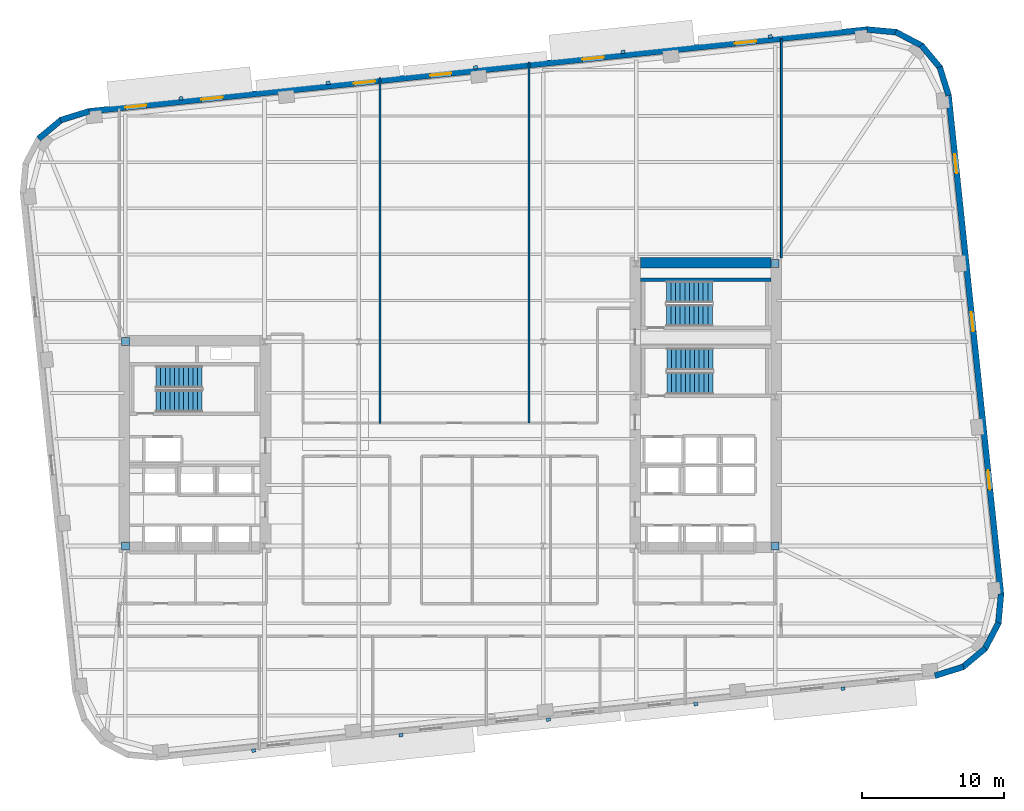
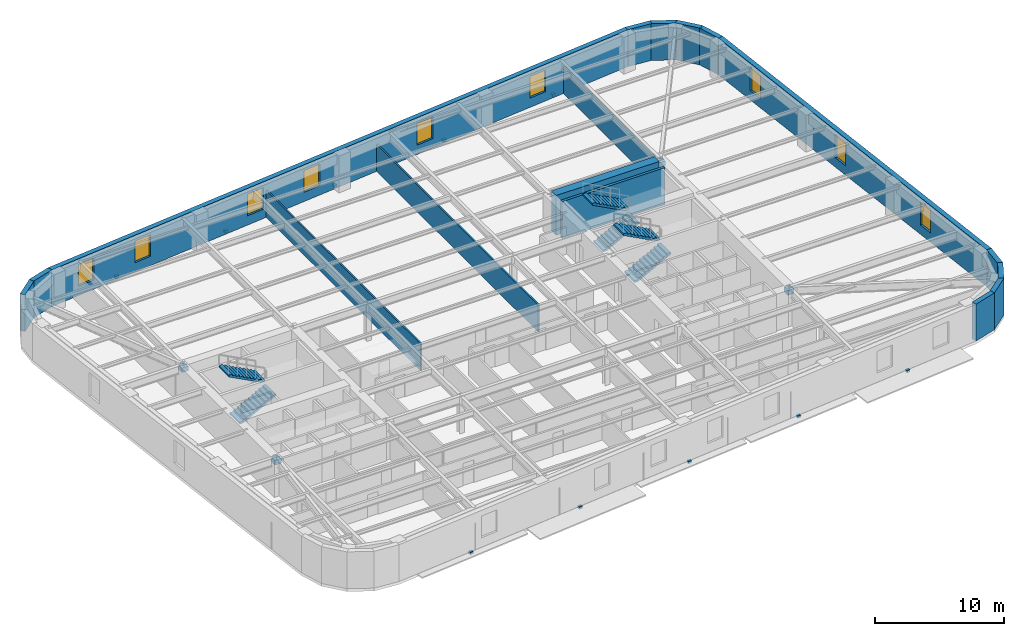
# One storey, part 7 of 11: 17 walls, 14 discrete accessories, 9 windows, 6 stair flights, 9 openings, 3 elements without a shape of their own.
"""IFC4 building model written with IfcOpenShell, lengths in metres."""

from ifc_helpers import new_model, si_unit, direction, frame, frame_2d, origin, origin_2d, place, context, subcontext, project, spatial, polyline, rectangle, outline, extrude, material, layer, layer_set, type_object, element, fill, aggregate, save


model = new_model("IFC4")

# Units and contexts
model_context = context("Model", 3, precision=1e-05, world=origin(), true_north=direction((0.0, 1.0)))
body_context = subcontext(model_context, "Body", "Model", "MODEL_VIEW")
ifc_project = project(units=[si_unit("LENGTHUNIT", "METRE"), si_unit("AREAUNIT", "SQUARE_METRE"), si_unit("VOLUMEUNIT", "CUBIC_METRE"), si_unit("PLANEANGLEUNIT", "RADIAN"), si_unit("MASSUNIT", "GRAM", prefix="KILO")], contexts=[model_context])

# Site, building, storey
site_placement = place(None, origin())
site = spatial("IfcSite", under=ifc_project, at=site_placement, CompositionType="ELEMENT")
building_placement = place(site_placement, origin())
building = spatial("IfcBuilding", under=site, at=building_placement, Name="Kolvaren Arena Tower", CompositionType="ELEMENT")
storey_placement = place(building_placement, frame((0.0, 0.0, 103.449951171875)))
storey = spatial("IfcBuildingStorey", under=building, at=storey_placement, Name="L23", CompositionType="ELEMENT", Elevation=103.449951171875)

# Walls
ifc_material_1 = material(Name="Concrete 70 MPa", Category="concrete")
ifc_layer_1 = layer(ifc_material_1, 0.75)
ifc_layer_set_1 = layer_set([ifc_layer_1], Name="Concrete 70 MPa")
wall_type_1 = type_object("IfcWallType", Name="CWALL-750", PredefinedType="SHEAR", material=ifc_layer_set_1)
wall_1_placement = place(storey_placement, frame((50.85009765625, 39.425048828125, -0.27001953125), z_axis=(0.0, 0.0, 1.0), x_axis=(1.0, 0.0, 0.0)))
element("IfcWall", 1, at=wall_1_placement, inside=storey, type_object=wall_type_1, Name="Core Shear Wall EC-NORTH (L23)", PredefinedType="SHEAR", context=body_context, shape_type="SweptSolid", body=[
    extrude(rectangle(XDim=9.199951171875, YDim=0.75, at=frame_2d((4.60009765625, 0.0))), origin(), (0.0, 0.0, 1.0), 3.75),
])
ifc_material_2 = material(Name="Precast concrete C50/60", Category="concrete")
ifc_layer_2 = layer(ifc_material_2, 0.419921875)
ifc_layer_set_2 = layer_set([ifc_layer_2], Name="Precast concrete C50/60")
wall_type_2 = type_object("IfcWallType", Name="EXT-PIER1", PredefinedType="SOLIDWALL", material=ifc_layer_set_2)
for number, where, z_axis, x_axis, name in (
    (2, (73.61328125, 10.93701171875, 0.0), (0.0, 0.0, 1.0), (-0.954993985335, -0.296625164093, 0.0), "Exterior Precast Masonry-Frame Wall (L23)"),
    (3, (75.1611328125, 12.2451171875, 0.0), (0.0, 0.0, 1.0), (-0.768800317178, -0.639488914921, 0.0), "Exterior Precast Masonry-Frame Wall (L23)"),
):
    element("IfcWall", number, at=place(storey_placement, frame(where, z_axis=z_axis, x_axis=x_axis)), inside=storey, type_object=wall_type_2, Name=name, PredefinedType="SOLIDWALL", context=body_context, shape_type="SweptSolid", body=[
        extrude(rectangle(XDim=2.10693359375, YDim=0.419921875, at=frame_2d((1.053466796875, 0.0))), origin(), (0.0, 0.0, 1.0), 3.47998046875),
    ])
wall_2_placement = place(storey_placement, frame((76.0908203125, 14.046142578125, 0.0), z_axis=(0.0, 0.0, 1.0), x_axis=(-0.465655699908, -0.884965970613, 0.0)))
element("IfcWall", 4, at=wall_2_placement, inside=storey, type_object=wall_type_2, Name="Exterior Precast Masonry-Frame Wall (L23)", PredefinedType="SOLIDWALL", context=body_context, shape_type="SweptSolid", body=[
    extrude(rectangle(XDim=2.107177734375, YDim=0.419921875, at=frame_2d((1.0537109375, 0.0))), origin(), (0.0, 0.0, 1.0), 3.47998046875),
])
wall_3_placement = place(storey_placement, frame((76.26025390625, 16.065673828125, 0.0), z_axis=(0.0, 0.0, 1.0), x_axis=(-0.091538655308, -0.995801523691, 0.0)))
element("IfcWall", 5, at=wall_3_placement, inside=storey, type_object=wall_type_2, Name="Exterior Precast Masonry-Frame Wall (L23)", PredefinedType="SOLIDWALL", context=body_context, shape_type="SweptSolid", body=[
    extrude(rectangle(XDim=2.10693359375, YDim=0.419921875, at=frame_2d((1.053466796875, 0.0))), origin(), (0.0, 0.0, 1.0), 3.47998046875),
])

# Wall, openings, windows
wall_4_placement = place(storey_placement, frame((72.560302734375, 51.23046875, 0.0), z_axis=(0.0, 0.0, 1.0), x_axis=(0.1045253859, -0.994522218808, 0.0)))
wall_4 = element("IfcWall", 6, at=wall_4_placement, inside=storey, type_object=wall_type_2, Name="Exterior Precast Masonry-Frame Wall (L23)", PredefinedType="SOLIDWALL", context=body_context, shape_type="SweptSolid", body=[
    extrude(rectangle(XDim=35.39990234375, YDim=0.419921875, at=frame_2d((17.699951171875, 0.0))), origin(), (0.0, 0.0, 1.0), 3.47998046875),
])
opening_1_placement = place(wall_4_placement, frame((4.199951171875, 0.0, 0.8798828125)))
opening_1 = element("IfcOpeningElement", 7, at=opening_1_placement, cuts=wall_4, Name="Opening W04", PredefinedType="OPENING", context=body_context, shape_type="SweptSolid", body=[
    extrude(rectangle(XDim=1.35009765625, YDim=2.199951171875, at=frame_2d((0.675048828125, 1.10009765625))), frame((0.0, 0.219970703125, 0.0), z_axis=(0.0, -1.0, 0.0), x_axis=(1.0, 0.0, 0.0)), (0.0, 0.0, 1.0), 0.43994140625),
])
opening_2_placement = place(wall_4_placement, frame((15.39990234375, 0.0, 0.8798828125)))
opening_2 = element("IfcOpeningElement", 8, at=opening_2_placement, cuts=wall_4, Name="Opening W04", PredefinedType="OPENING", context=body_context, shape_type="SweptSolid", body=[
    extrude(rectangle(XDim=1.35009765625, YDim=2.199951171875, at=frame_2d((0.675048828125, 1.10009765625))), frame((0.0, 0.219970703125, 0.0), z_axis=(0.0, -1.0, 0.0), x_axis=(1.0, 0.0, 0.0)), (0.0, 0.0, 1.0), 0.43994140625),
])
opening_3_placement = place(wall_4_placement, frame((26.60009765625, 0.0, 0.8798828125)))
opening_3 = element("IfcOpeningElement", 9, at=opening_3_placement, cuts=wall_4, Name="Opening W04", PredefinedType="OPENING", context=body_context, shape_type="SweptSolid", body=[
    extrude(rectangle(XDim=1.35009765625, YDim=2.199951171875, at=frame_2d((0.675048828125, 1.10009765625))), frame((0.0, 0.219970703125, 0.0), z_axis=(0.0, -1.0, 0.0), x_axis=(1.0, 0.0, 0.0)), (0.0, 0.0, 1.0), 0.43994140625),
])
ifc_material_3 = material(Name="Triple-glazed curved-facet corner window", Category="glass")
window_type_1 = type_object("IfcWindowType", Name="WIN-CRN-A", PartitioningType="SINGLE_PANEL", PredefinedType="WINDOW", material=ifc_material_3)
window_1_placement = place(opening_1_placement, origin())
window_1 = element("IfcWindow", 10, at=window_1_placement, inside=storey, type_object=window_type_1, Name="End-Wall Punched Window (L23)", OverallHeight=2.199951171875, OverallWidth=1.35009765625, PartitioningType="SINGLE_PANEL", PredefinedType="WINDOW", context=body_context, shape_type="SweptSolid", body=[
    extrude(rectangle(XDim=1.35009765625, YDim=2.199951171875, at=frame_2d((0.675048828125, 1.10009765625))), frame((0.0, 0.030029296875, 0.0), z_axis=(0.0, -1.0, 0.0), x_axis=(1.0, 0.0, 0.0)), (0.0, 0.0, 1.0), 0.06005859375),
])
fill(opening_1, window_1)
window_2_placement = place(opening_2_placement, origin())
window_2 = element("IfcWindow", 11, at=window_2_placement, inside=storey, type_object=window_type_1, Name="End-Wall Punched Window (L23)", OverallHeight=2.199951171875, OverallWidth=1.35009765625, PartitioningType="SINGLE_PANEL", PredefinedType="WINDOW", context=body_context, shape_type="SweptSolid", body=[
    extrude(rectangle(XDim=1.35009765625, YDim=2.199951171875, at=frame_2d((0.675048828125, 1.10009765625))), frame((0.0, 0.030029296875, 0.0), z_axis=(0.0, -1.0, 0.0), x_axis=(1.0, 0.0, 0.0)), (0.0, 0.0, 1.0), 0.06005859375),
])
fill(opening_2, window_2)
window_3_placement = place(opening_3_placement, origin())
window_3 = element("IfcWindow", 12, at=window_3_placement, inside=storey, type_object=window_type_1, Name="End-Wall Punched Window (L23)", OverallHeight=2.199951171875, OverallWidth=1.35009765625, PartitioningType="SINGLE_PANEL", PredefinedType="WINDOW", context=body_context, shape_type="SweptSolid", body=[
    extrude(rectangle(XDim=1.35009765625, YDim=2.199951171875, at=frame_2d((0.675048828125, 1.10009765625))), frame((0.0, 0.030029296875, 0.0), z_axis=(0.0, -1.0, 0.0), x_axis=(1.0, 0.0, 0.0)), (0.0, 0.0, 1.0), 0.06005859375),
])
fill(opening_3, window_3)

# Walls
for number, where, z_axis, x_axis, name in (
    (13, (71.943603515625, 53.202392578125, 0.0), (0.0, 0.0, 1.0), (0.296625164093, -0.954993985335, 0.0), "Exterior Precast Masonry-Frame Wall (L23)"),
    (14, (70.635498046875, 54.750244140625, 0.0), (0.0, 0.0, 1.0), (0.639488914921, -0.768800317178, 0.0), "Exterior Precast Masonry-Frame Wall (L23)"),
    (15, (68.83447265625, 55.6796875, 0.0), (0.0, 0.0, 1.0), (0.885013714693, -0.465564952296, 0.0), "Exterior Precast Masonry-Frame Wall (L23)"),
    (16, (66.81494140625, 55.849365234375, 0.0), (0.0, 0.0, 1.0), (0.995801523691, -0.091538655308, 0.0), "Exterior Precast Masonry-Frame Wall (L23)"),
):
    element("IfcWall", number, at=place(storey_placement, frame(where, z_axis=z_axis, x_axis=x_axis)), inside=storey, type_object=wall_type_2, Name=name, PredefinedType="SOLIDWALL", context=body_context, shape_type="SweptSolid", body=[
        extrude(rectangle(XDim=2.10693359375, YDim=0.419921875, at=frame_2d((1.053466796875, 0.0))), origin(), (0.0, 0.0, 1.0), 3.47998046875),
    ])

# Wall, openings, windows
wall_5_placement = place(storey_placement, frame((11.95849609375, 50.07958984375, 0.0), z_axis=(0.0, 0.0, 1.0), x_axis=(0.994521823388, 0.104529148113, 0.0)))
wall_5 = element("IfcWall", 17, at=wall_5_placement, inside=storey, type_object=wall_type_2, Name="Exterior Precast Masonry-Frame Wall (L23)", PredefinedType="SOLIDWALL", context=body_context, shape_type="SweptSolid", body=[
    extrude(rectangle(XDim=55.2001953125, YDim=0.419921875, at=frame_2d((27.60009765625, 0.0))), origin(), (0.0, 0.0, 1.0), 3.47998046875),
])
opening_4_placement = place(wall_5_placement, frame((2.60009765625, 0.0, 0.8798828125)))
opening_4 = element("IfcOpeningElement", 18, at=opening_4_placement, cuts=wall_5, Name="Opening W03", PredefinedType="OPENING", context=body_context, shape_type="SweptSolid", body=[
    extrude(rectangle(XDim=1.5, YDim=2.050048828125, at=frame_2d((0.75, 1.02490234375))), frame((0.0, 0.219970703125, 0.0), z_axis=(0.0, -1.0, 0.0), x_axis=(1.0, 0.0, 0.0)), (0.0, 0.0, 1.0), 0.43994140625),
])
opening_5_placement = place(wall_5_placement, frame((8.0, 0.0, 0.8798828125)))
opening_5 = element("IfcOpeningElement", 19, at=opening_5_placement, cuts=wall_5, Name="Opening W03", PredefinedType="OPENING", context=body_context, shape_type="SweptSolid", body=[
    extrude(rectangle(XDim=1.5, YDim=2.050048828125, at=frame_2d((0.75, 1.02490234375))), frame((0.0, 0.219970703125, 0.0), z_axis=(0.0, -1.0, 0.0), x_axis=(1.0, 0.0, 0.0)), (0.0, 0.0, 1.0), 0.43994140625),
])
opening_6_placement = place(wall_5_placement, frame((18.800048828125, 0.0, 0.8798828125)))
opening_6 = element("IfcOpeningElement", 20, at=opening_6_placement, cuts=wall_5, Name="Opening W03", PredefinedType="OPENING", context=body_context, shape_type="SweptSolid", body=[
    extrude(rectangle(XDim=1.5, YDim=2.050048828125, at=frame_2d((0.75, 1.02490234375))), frame((0.0, 0.219970703125, 0.0), z_axis=(0.0, -1.0, 0.0), x_axis=(1.0, 0.0, 0.0)), (0.0, 0.0, 1.0), 0.43994140625),
])
opening_7_placement = place(wall_5_placement, frame((24.199951171875, 0.0, 0.8798828125)))
opening_7 = element("IfcOpeningElement", 21, at=opening_7_placement, cuts=wall_5, Name="Opening W03", PredefinedType="OPENING", context=body_context, shape_type="SweptSolid", body=[
    extrude(rectangle(XDim=1.5, YDim=2.050048828125, at=frame_2d((0.75, 1.02490234375))), frame((0.0, 0.219970703125, 0.0), z_axis=(0.0, -1.0, 0.0), x_axis=(1.0, 0.0, 0.0)), (0.0, 0.0, 1.0), 0.43994140625),
])
opening_8_placement = place(wall_5_placement, frame((35.0, 0.0, 0.8798828125)))
opening_8 = element("IfcOpeningElement", 22, at=opening_8_placement, cuts=wall_5, Name="Opening W03", PredefinedType="OPENING", context=body_context, shape_type="SweptSolid", body=[
    extrude(rectangle(XDim=1.5, YDim=2.050048828125, at=frame_2d((0.75, 1.02490234375))), frame((0.0, 0.219970703125, 0.0), z_axis=(0.0, -1.0, 0.0), x_axis=(1.0, 0.0, 0.0)), (0.0, 0.0, 1.0), 0.43994140625),
])
opening_9_placement = place(wall_5_placement, frame((45.800048828125, 0.0, 0.8798828125)))
opening_9 = element("IfcOpeningElement", 23, at=opening_9_placement, cuts=wall_5, Name="Opening W03", PredefinedType="OPENING", context=body_context, shape_type="SweptSolid", body=[
    extrude(rectangle(XDim=1.5, YDim=2.050048828125, at=frame_2d((0.75, 1.02490234375))), frame((0.0, 0.219970703125, 0.0), z_axis=(0.0, -1.0, 0.0), x_axis=(1.0, 0.0, 0.0)), (0.0, 0.0, 1.0), 0.43994140625),
])
ifc_material_4 = material(Name="Triple-glazed low-E aluminium window", Category="aluminium")
window_type_2 = type_object("IfcWindowType", Name="WIN-OFF-C", PartitioningType="SINGLE_PANEL", PredefinedType="WINDOW", material=ifc_material_4)
window_4_placement = place(opening_4_placement, origin())
window_4 = element("IfcWindow", 24, at=window_4_placement, inside=storey, type_object=window_type_2, Name="Punched Precast-Pier Window (L23)", OverallHeight=2.050048828125, OverallWidth=1.5, PartitioningType="SINGLE_PANEL", PredefinedType="WINDOW", context=body_context, shape_type="SweptSolid", body=[
    extrude(rectangle(XDim=1.5, YDim=2.050048828125, at=frame_2d((0.75, 1.02490234375))), frame((0.0, 0.030029296875, 0.0), z_axis=(0.0, -1.0, 0.0), x_axis=(1.0, 0.0, 0.0)), (0.0, 0.0, 1.0), 0.06005859375),
])
fill(opening_4, window_4)
window_5_placement = place(opening_5_placement, origin())
window_5 = element("IfcWindow", 25, at=window_5_placement, inside=storey, type_object=window_type_2, Name="Punched Precast-Pier Window (L23)", OverallHeight=2.050048828125, OverallWidth=1.5, PartitioningType="SINGLE_PANEL", PredefinedType="WINDOW", context=body_context, shape_type="SweptSolid", body=[
    extrude(rectangle(XDim=1.5, YDim=2.050048828125, at=frame_2d((0.75, 1.02490234375))), frame((0.0, 0.030029296875, 0.0), z_axis=(0.0, -1.0, 0.0), x_axis=(1.0, 0.0, 0.0)), (0.0, 0.0, 1.0), 0.06005859375),
])
fill(opening_5, window_5)
window_6_placement = place(opening_6_placement, origin())
window_6 = element("IfcWindow", 26, at=window_6_placement, inside=storey, type_object=window_type_2, Name="Punched Precast-Pier Window (L23)", OverallHeight=2.050048828125, OverallWidth=1.5, PartitioningType="SINGLE_PANEL", PredefinedType="WINDOW", context=body_context, shape_type="SweptSolid", body=[
    extrude(rectangle(XDim=1.5, YDim=2.050048828125, at=frame_2d((0.75, 1.02490234375))), frame((0.0, 0.030029296875, 0.0), z_axis=(0.0, -1.0, 0.0), x_axis=(1.0, 0.0, 0.0)), (0.0, 0.0, 1.0), 0.06005859375),
])
fill(opening_6, window_6)
window_7_placement = place(opening_7_placement, origin())
window_7 = element("IfcWindow", 27, at=window_7_placement, inside=storey, type_object=window_type_2, Name="Punched Precast-Pier Window (L23)", OverallHeight=2.050048828125, OverallWidth=1.5, PartitioningType="SINGLE_PANEL", PredefinedType="WINDOW", context=body_context, shape_type="SweptSolid", body=[
    extrude(rectangle(XDim=1.5, YDim=2.050048828125, at=frame_2d((0.75, 1.02490234375))), frame((0.0, 0.030029296875, 0.0), z_axis=(0.0, -1.0, 0.0), x_axis=(1.0, 0.0, 0.0)), (0.0, 0.0, 1.0), 0.06005859375),
])
fill(opening_7, window_7)
window_8_placement = place(opening_8_placement, origin())
window_8 = element("IfcWindow", 28, at=window_8_placement, inside=storey, type_object=window_type_2, Name="Punched Precast-Pier Window (L23)", OverallHeight=2.050048828125, OverallWidth=1.5, PartitioningType="SINGLE_PANEL", PredefinedType="WINDOW", context=body_context, shape_type="SweptSolid", body=[
    extrude(rectangle(XDim=1.5, YDim=2.050048828125, at=frame_2d((0.75, 1.02490234375))), frame((0.0, 0.030029296875, 0.0), z_axis=(0.0, -1.0, 0.0), x_axis=(1.0, 0.0, 0.0)), (0.0, 0.0, 1.0), 0.06005859375),
])
fill(opening_8, window_8)
window_9_placement = place(opening_9_placement, origin())
window_9 = element("IfcWindow", 29, at=window_9_placement, inside=storey, type_object=window_type_2, Name="Punched Precast-Pier Window (L23)", OverallHeight=2.050048828125, OverallWidth=1.5, PartitioningType="SINGLE_PANEL", PredefinedType="WINDOW", context=body_context, shape_type="SweptSolid", body=[
    extrude(rectangle(XDim=1.5, YDim=2.050048828125, at=frame_2d((0.75, 1.02490234375))), frame((0.0, 0.030029296875, 0.0), z_axis=(0.0, -1.0, 0.0), x_axis=(1.0, 0.0, 0.0)), (0.0, 0.0, 1.0), 0.06005859375),
])
fill(opening_9, window_9)

# Walls
wall_6_placement = place(storey_placement, frame((9.98681640625, 49.463134765625, 0.0), z_axis=(0.0, 0.0, 1.0), x_axis=(0.955016613791, 0.296552301261, 0.0)))
element("IfcWall", 30, at=wall_6_placement, inside=storey, type_object=wall_type_2, Name="Exterior Precast Masonry-Frame Wall (L23)", PredefinedType="SOLIDWALL", context=body_context, shape_type="SweptSolid", body=[
    extrude(rectangle(XDim=2.106689453125, YDim=0.419921875, at=frame_2d((1.05322265625, 0.0))), origin(), (0.0, 0.0, 1.0), 3.47998046875),
])
wall_7_placement = place(storey_placement, frame((8.438720703125, 48.15478515625, 0.0), z_axis=(0.0, 0.0, 1.0), x_axis=(0.768800317178, 0.639488914921, 0.0)))
element("IfcWall", 31, at=wall_7_placement, inside=storey, type_object=wall_type_2, Name="Exterior Precast Masonry-Frame Wall (L23)", PredefinedType="SOLIDWALL", context=body_context, shape_type="SweptSolid", body=[
    extrude(rectangle(XDim=2.10693359375, YDim=0.419921875, at=frame_2d((1.053466796875, 0.0))), origin(), (0.0, 0.0, 1.0), 3.47998046875),
])
ifc_material_5 = material(Name="Gypsum board partition assembly", Category="gypsum")
ifc_layer_3 = layer(ifc_material_5, 0.135009765625)
ifc_layer_set_3 = layer_set([ifc_layer_3], Name="Gypsum board partition assembly")
wall_type_3 = type_object("IfcWallType", Name="PART-135", PredefinedType="PARTITIONING", material=ifc_layer_set_3)
wall_8_placement = place(storey_placement, frame((32.5, 28.1201171875, 0.0), z_axis=(0.0, 0.0, 1.0), x_axis=(0.0, 1.0, 0.0)))
element("IfcWall", 32, at=wall_8_placement, inside=storey, type_object=wall_type_3, Name="Interior Partition Wall (L23)", PredefinedType="PARTITIONING", context=body_context, shape_type="SweptSolid", body=[
    extrude(rectangle(XDim=24.32958984375, YDim=0.135009765625, at=frame_2d((12.164794921875, 0.0))), origin(), (0.0, 0.0, 1.0), 2.5400390625),
])
wall_9_placement = place(storey_placement, frame((43.0, 28.1201171875, 0.0), z_axis=(0.0, 0.0, 1.0), x_axis=(0.0, 1.0, 0.0)))
element("IfcWall", 33, at=wall_9_placement, inside=storey, type_object=wall_type_3, Name="Interior Partition Wall (L23)", PredefinedType="PARTITIONING", context=body_context, shape_type="SweptSolid", body=[
    extrude(rectangle(XDim=25.433349609375, YDim=0.135009765625, at=frame_2d((12.716796875, 0.0))), origin(), (0.0, 0.0, 1.0), 2.5400390625),
])
wall_10_placement = place(storey_placement, frame((60.780029296875, 39.75, 0.0), z_axis=(0.0, 0.0, 1.0), x_axis=(0.0, 1.0, 0.0)))
element("IfcWall", 34, at=wall_10_placement, inside=storey, type_object=wall_type_3, Name="Interior Partition Wall (L23)", PredefinedType="PARTITIONING", context=body_context, shape_type="SweptSolid", body=[
    extrude(rectangle(XDim=15.430908203125, YDim=0.135009765625, at=frame_2d((7.71533203125, 0.0))), origin(), (0.0, 0.0, 1.0), 2.5400390625),
])
ifc_material_6 = material(Name="Concrete 45 MPa", Category="concrete")
ifc_layer_4 = layer(ifc_material_6, 0.25)
ifc_layer_set_4 = layer_set([ifc_layer_4], Name="Concrete 45 MPa")
wall_type_4 = type_object("IfcWallType", Name="SHAFT-250", PredefinedType="SOLIDWALL", material=ifc_layer_set_4)
wall_11_placement = place(storey_placement, frame((50.85009765625, 38.219970703125, 0.0), z_axis=(0.0, 0.0, 1.0), x_axis=(1.0, 0.0, 0.0)))
element("IfcWall", 35, at=wall_11_placement, inside=storey, type_object=wall_type_4, Name="Core Shaft Wall (L23)", PredefinedType="SOLIDWALL", context=body_context, shape_type="SweptSolid", body=[
    extrude(rectangle(XDim=9.199951171875, YDim=0.239990234375, at=frame_2d((4.60009765625, 0.0))), origin(), (0.0, 0.0, 1.0), 3.47998046875),
])

# Stair, stair flights
stair_type_1 = type_object("IfcStairType", Name="STAIR-CORE-150", PredefinedType="HALF_TURN_STAIR", material=ifc_material_6)
stair_1_placement = place(storey_placement, origin())
stair_1 = element("IfcStair", 36, at=stair_1_placement, inside=storey, type_object=stair_type_1, Name="L23 ST-E2", PredefinedType="HALF_TURN_STAIR")
stair_flight_type_1 = type_object("IfcStairFlightType", Name="FLT-150", PredefinedType="STRAIGHT", material=ifc_material_6)
stair_flight_1_placement = place(storey_placement, frame((52.679931640625, 35.699951171875, 0.0), z_axis=(0.0, 0.0, 1.0), x_axis=(1.0, 0.0, 0.0)))
stair_flight_1 = element("IfcStairFlight", 37, at=stair_flight_1_placement, type_object=stair_flight_type_1, Name="ST-E2 flight 1", NumberOfRisers=11, NumberOfTreads=10, PredefinedType="STRAIGHT", RiserHeight=0.170454545, TreadLength=0.324, context=body_context, shape_type="SweptSolid", body=[
    extrude(outline(polyline([(0.0, 0.0), (0.0, 0.17041015625), (0.323974609375, 0.17041015625), (0.323974609375, 0.3408203125), (0.64794921875, 0.3408203125), (0.64794921875, 0.511474609375), (0.971923828125, 0.511474609375), (0.971923828125, 0.681884765625), (1.2958984375, 0.681884765625), (1.2958984375, 0.852294921875), (1.6201171875, 0.852294921875), (1.6201171875, 1.022705078125), (1.944091796875, 1.022705078125), (1.944091796875, 1.193115234375), (2.26806640625, 1.193115234375), (2.26806640625, 1.363525390625), (2.592041015625, 1.363525390625), (2.592041015625, 1.5341796875), (2.916015625, 1.5341796875), (2.916015625, 1.70458984375), (3.239990234375, 1.70458984375), (3.239990234375, 1.875), (3.239990234375, 1.53515625), (0.322021484375, 0.0), (0.0, 0.0)])), frame((0.0, 0.75, 0.0), z_axis=(0.0, -1.0, 0.0), x_axis=(1.0, 0.0, 0.0)), (0.0, 0.0, 1.0), 1.5),
])
stair_flight_2_placement = place(storey_placement, frame((55.919921875, 37.35009765625, 1.875), z_axis=(0.0, 0.0, 1.0), x_axis=(-1.0, 0.0, 0.0)))
stair_flight_2 = element("IfcStairFlight", 38, at=stair_flight_2_placement, type_object=stair_flight_type_1, Name="ST-E2 flight 2", NumberOfRisers=11, NumberOfTreads=10, PredefinedType="STRAIGHT", RiserHeight=0.170454545, TreadLength=0.324, context=body_context, shape_type="SweptSolid", body=[
    extrude(outline(polyline([(0.0, 0.0), (0.0, 0.17041015625), (0.323974609375, 0.17041015625), (0.323974609375, 0.3408203125), (0.64794921875, 0.3408203125), (0.64794921875, 0.511474609375), (0.971923828125, 0.511474609375), (0.971923828125, 0.681884765625), (1.2958984375, 0.681884765625), (1.2958984375, 0.852294921875), (1.6201171875, 0.852294921875), (1.6201171875, 1.022705078125), (1.944091796875, 1.022705078125), (1.944091796875, 1.193115234375), (2.26806640625, 1.193115234375), (2.26806640625, 1.363525390625), (2.592041015625, 1.363525390625), (2.592041015625, 1.5341796875), (2.916015625, 1.5341796875), (2.916015625, 1.70458984375), (3.239990234375, 1.70458984375), (3.239990234375, 1.875), (3.239990234375, 1.53515625), (0.322021484375, 0.0), (0.0, 0.0)])), frame((0.0, 0.75, 0.0), z_axis=(0.0, -1.0, 0.0), x_axis=(1.0, 0.0, 0.0)), (0.0, 0.0, 1.0), 1.5),
])
aggregate(stair_1, [stair_flight_1, stair_flight_2])

stair_type_2 = type_object("IfcStairType", Name="STAIR-CORE-165", PredefinedType="HALF_TURN_STAIR", material=ifc_material_6)
stair_2_placement = place(storey_placement, origin())
stair_2 = element("IfcStair", 39, at=stair_2_placement, inside=storey, type_object=stair_type_2, Name="L23 ST-W1", PredefinedType="HALF_TURN_STAIR")
stair_flight_type_2 = type_object("IfcStairFlightType", Name="FLT-165", PredefinedType="STRAIGHT", material=ifc_material_6)
stair_flight_3_placement = place(storey_placement, frame((16.719970703125, 29.669921875, 0.0), z_axis=(0.0, 0.0, 1.0), x_axis=(1.0, 0.0, 0.0)))
stair_flight_3 = element("IfcStairFlight", 40, at=stair_flight_3_placement, type_object=stair_flight_type_2, Name="ST-W1 flight 1", NumberOfRisers=11, NumberOfTreads=10, PredefinedType="STRAIGHT", RiserHeight=0.170454545, TreadLength=0.324, context=body_context, shape_type="SweptSolid", body=[
    extrude(outline(polyline([(0.0, 0.0), (0.0, 0.17041015625), (0.323974609375, 0.17041015625), (0.323974609375, 0.3408203125), (0.64794921875, 0.3408203125), (0.64794921875, 0.511474609375), (0.971923828125, 0.511474609375), (0.971923828125, 0.681884765625), (1.2958984375, 0.681884765625), (1.2958984375, 0.852294921875), (1.6201171875, 0.852294921875), (1.6201171875, 1.022705078125), (1.944091796875, 1.022705078125), (1.944091796875, 1.193115234375), (2.26806640625, 1.193115234375), (2.26806640625, 1.363525390625), (2.592041015625, 1.363525390625), (2.592041015625, 1.5341796875), (2.916015625, 1.5341796875), (2.916015625, 1.70458984375), (3.239990234375, 1.70458984375), (3.239990234375, 1.875), (3.239990234375, 1.53515625), (0.322021484375, 0.0), (0.0, 0.0)])), frame((0.0, 0.77001953125, 0.0), z_axis=(0.0, -1.0, 0.0), x_axis=(1.0, 0.0, 0.0)), (0.0, 0.0, 1.0), 1.5400390625),
])
stair_flight_4_placement = place(storey_placement, frame((19.9599609375, 31.360107421875, 1.875), z_axis=(0.0, 0.0, 1.0), x_axis=(-1.0, 0.0, 0.0)))
stair_flight_4 = element("IfcStairFlight", 41, at=stair_flight_4_placement, type_object=stair_flight_type_2, Name="ST-W1 flight 2", NumberOfRisers=11, NumberOfTreads=10, PredefinedType="STRAIGHT", RiserHeight=0.170454545, TreadLength=0.324, context=body_context, shape_type="SweptSolid", body=[
    extrude(outline(polyline([(0.0, 0.0), (0.0, 0.17041015625), (0.323974609375, 0.17041015625), (0.323974609375, 0.3408203125), (0.64794921875, 0.3408203125), (0.64794921875, 0.511474609375), (0.971923828125, 0.511474609375), (0.971923828125, 0.681884765625), (1.2958984375, 0.681884765625), (1.2958984375, 0.852294921875), (1.6201171875, 0.852294921875), (1.6201171875, 1.022705078125), (1.944091796875, 1.022705078125), (1.944091796875, 1.193115234375), (2.26806640625, 1.193115234375), (2.26806640625, 1.363525390625), (2.592041015625, 1.363525390625), (2.592041015625, 1.5341796875), (2.916015625, 1.5341796875), (2.916015625, 1.70458984375), (3.239990234375, 1.70458984375), (3.239990234375, 1.875), (3.239990234375, 1.53515625), (0.322021484375, 0.0), (0.0, 0.0)])), frame((0.0, 0.77001953125, 0.0), z_axis=(0.0, -1.0, 0.0), x_axis=(1.0, 0.0, 0.0)), (0.0, 0.0, 1.0), 1.5400390625),
])
aggregate(stair_2, [stair_flight_3, stair_flight_4])

stair_3_placement = place(storey_placement, origin())
stair_3 = element("IfcStair", 42, at=stair_3_placement, inside=storey, type_object=stair_type_2, Name="L23 ST-E1", PredefinedType="HALF_TURN_STAIR")
stair_flight_5_placement = place(storey_placement, frame((52.719970703125, 30.919921875, 0.0), z_axis=(0.0, 0.0, 1.0), x_axis=(1.0, 0.0, 0.0)))
stair_flight_5 = element("IfcStairFlight", 43, at=stair_flight_5_placement, type_object=stair_flight_type_2, Name="ST-E1 flight 1", NumberOfRisers=11, NumberOfTreads=10, PredefinedType="STRAIGHT", RiserHeight=0.170454545, TreadLength=0.324, context=body_context, shape_type="SweptSolid", body=[
    extrude(outline(polyline([(0.0, 0.0), (0.0, 0.17041015625), (0.323974609375, 0.17041015625), (0.323974609375, 0.3408203125), (0.64794921875, 0.3408203125), (0.64794921875, 0.511474609375), (0.971923828125, 0.511474609375), (0.971923828125, 0.681884765625), (1.2958984375, 0.681884765625), (1.2958984375, 0.852294921875), (1.6201171875, 0.852294921875), (1.6201171875, 1.022705078125), (1.944091796875, 1.022705078125), (1.944091796875, 1.193115234375), (2.26806640625, 1.193115234375), (2.26806640625, 1.363525390625), (2.592041015625, 1.363525390625), (2.592041015625, 1.5341796875), (2.916015625, 1.5341796875), (2.916015625, 1.70458984375), (3.239990234375, 1.70458984375), (3.239990234375, 1.875), (3.239990234375, 1.53515625), (0.322021484375, 0.0), (0.0, 0.0)])), frame((0.0, 0.77001953125, 0.0), z_axis=(0.0, -1.0, 0.0), x_axis=(1.0, 0.0, 0.0)), (0.0, 0.0, 1.0), 1.5400390625),
])
stair_flight_6_placement = place(storey_placement, frame((55.9599609375, 32.610107421875, 1.875), z_axis=(0.0, 0.0, 1.0), x_axis=(-1.0, 0.0, 0.0)))
stair_flight_6 = element("IfcStairFlight", 44, at=stair_flight_6_placement, type_object=stair_flight_type_2, Name="ST-E1 flight 2", NumberOfRisers=11, NumberOfTreads=10, PredefinedType="STRAIGHT", RiserHeight=0.170454545, TreadLength=0.324, context=body_context, shape_type="SweptSolid", body=[
    extrude(outline(polyline([(0.0, 0.0), (0.0, 0.17041015625), (0.323974609375, 0.17041015625), (0.323974609375, 0.3408203125), (0.64794921875, 0.3408203125), (0.64794921875, 0.511474609375), (0.971923828125, 0.511474609375), (0.971923828125, 0.681884765625), (1.2958984375, 0.681884765625), (1.2958984375, 0.852294921875), (1.6201171875, 0.852294921875), (1.6201171875, 1.022705078125), (1.944091796875, 1.022705078125), (1.944091796875, 1.193115234375), (2.26806640625, 1.193115234375), (2.26806640625, 1.363525390625), (2.592041015625, 1.363525390625), (2.592041015625, 1.5341796875), (2.916015625, 1.5341796875), (2.916015625, 1.70458984375), (3.239990234375, 1.70458984375), (3.239990234375, 1.875), (3.239990234375, 1.53515625), (0.322021484375, 0.0), (0.0, 0.0)])), frame((0.0, 0.77001953125, 0.0), z_axis=(0.0, -1.0, 0.0), x_axis=(1.0, 0.0, 0.0)), (0.0, 0.0, 1.0), 1.5400390625),
])
aggregate(stair_3, [stair_flight_5, stair_flight_6])

# Discrete accessories
ifc_material_7 = material(Name="Stainless steel facade support bracket", Category="steel")
discrete_accessory_type_1 = type_object("IfcDiscreteAccessoryType", Name="ACC-BRKT-1", PredefinedType="BRACKET", material=ifc_material_7)
for number, where, z_axis, x_axis, name in (
    (45, (18.468505859375, 50.9951171875, -0.18017578125), (0.0, 0.0, 1.0), (0.994522077803, 0.104526727499, 0.0), "Sunshade Support Bracket (L23)"),
    (46, (28.851318359375, 52.08642578125, -0.18017578125), (0.0, 0.0, 1.0), (0.994522077803, 0.104526727499, 0.0), "Sunshade Support Bracket (L23)"),
    (47, (39.234130859375, 53.177734375, -0.18017578125), (0.0, 0.0, 1.0), (0.994522077803, 0.104526727499, 0.0), "Sunshade Support Bracket (L23)"),
    (48, (49.616943359375, 54.268798828125, -0.18017578125), (0.0, 0.0, 1.0), (0.994522077803, 0.104526727499, 0.0), "Sunshade Support Bracket (L23)"),
    (49, (59.999755859375, 55.360107421875, -0.18017578125), (0.0, 0.0, 1.0), (0.994522077803, 0.104526727499, 0.0), "Sunshade Support Bracket (L23)"),
    (50, (65.131591796875, 9.40478515625, -0.18017578125), (0.0, 0.0, 1.0), (-0.994522077803, -0.104526727499, 0.0), "Sunshade Support Bracket (L23)"),
    (51, (54.748779296875, 8.313720703125, -0.18017578125), (0.0, 0.0, 1.0), (-0.994522077803, -0.104526727499, 0.0), "Sunshade Support Bracket (L23)"),
    (52, (44.365966796875, 7.222412109375, -0.18017578125), (0.0, 0.0, 1.0), (-0.994522077803, -0.104526727499, 0.0), "Sunshade Support Bracket (L23)"),
    (53, (33.983154296875, 6.131103515625, -0.18017578125), (0.0, 0.0, 1.0), (-0.994522077803, -0.104526727499, 0.0), "Sunshade Support Bracket (L23)"),
    (54, (23.600341796875, 5.039794921875, -0.18017578125), (0.0, 0.0, 1.0), (-0.994522077803, -0.104526727499, 0.0), "Sunshade Support Bracket (L23)"),
):
    element("IfcDiscreteAccessory", number, at=place(storey_placement, frame(where, z_axis=z_axis, x_axis=x_axis)), inside=storey, type_object=discrete_accessory_type_1, Name=name, PredefinedType="BRACKET", context=body_context, shape_type="SweptSolid", body=[
        extrude(rectangle(XDim=0.280029296875, YDim=0.239990234375, at=origin_2d()), origin(), (0.0, 0.0, 1.0), 0.239990234375),
    ])
ifc_material_8 = material(Name="Steel CSA G40.21 350W bolted gusset connection", Category="steel")
discrete_accessory_type_2 = type_object("IfcDiscreteAccessoryType", Name="ACC-CONN-1", PredefinedType="BRACKET", material=ifc_material_8)
for number, where, z_axis, x_axis, name in (
    (55, (60.35009765625, 19.449951171875, 2.87353515625), (0.0, 0.0, 1.0), (1.0, 0.0, 0.0), "Core Wall Cast-In Embed Plate EP1 (L23)"),
    (56, (60.35009765625, 39.35009765625, 2.87353515625), (0.0, 0.0, 1.0), (1.0, 0.0, 0.0), "Core Wall Cast-In Embed Plate EP1 (L23)"),
    (57, (14.550048828125, 33.85009765625, 2.87353515625), (0.0, 0.0, 1.0), (1.0, 0.0, 0.0), "Core Wall Cast-In Embed Plate EP1 (L23)"),
    (58, (14.550048828125, 19.449951171875, 2.87353515625), (0.0, 0.0, 1.0), (1.0, 0.0, 0.0), "Core Wall Cast-In Embed Plate EP1 (L23)"),
):
    element("IfcDiscreteAccessory", number, at=place(storey_placement, frame(where, z_axis=z_axis, x_axis=x_axis)), inside=storey, type_object=discrete_accessory_type_2, Name=name, PredefinedType="BRACKET", context=body_context, shape_type="SweptSolid", body=[
        extrude(rectangle(XDim=0.56005859375, YDim=0.56005859375, at=origin_2d()), origin(), (0.0, 0.0, 1.0), 0.43994140625),
    ])

save(model, "model.ifc")
